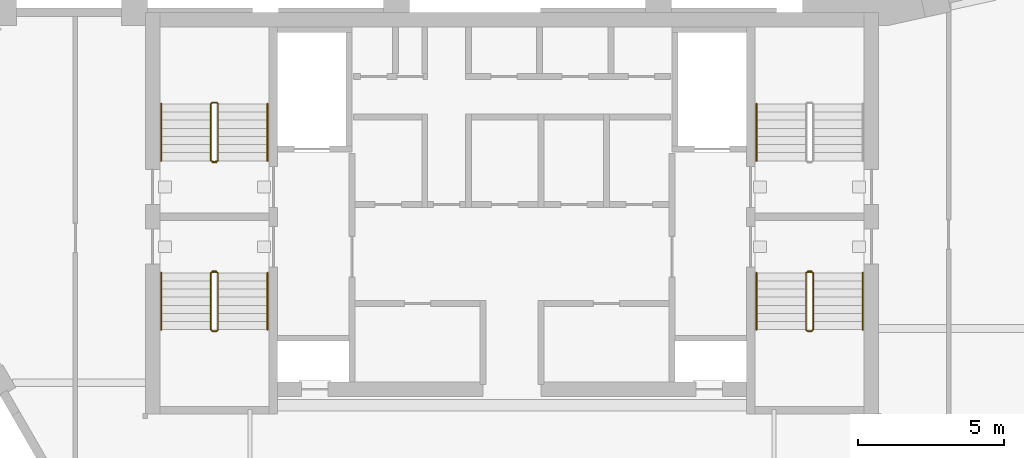
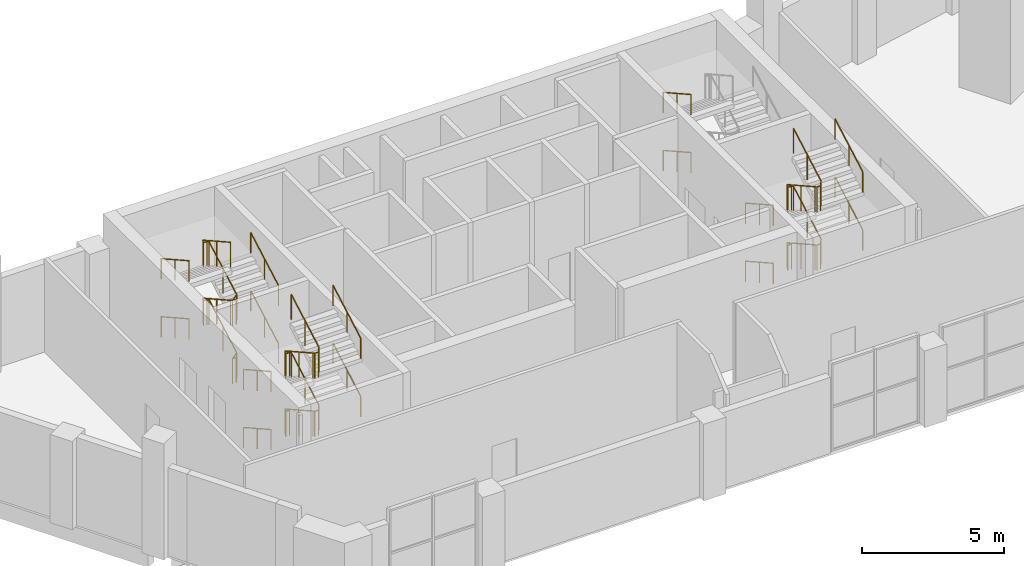
# One storey, part 8 of 9: 17 railings.
"""IFC4 building model written with IfcOpenShell, lengths in metres."""

from ifc_helpers import new_model, si_unit, direction, frame, origin, origin_2d, place, context, subcontext, project, spatial, circle, extrude, material, type_object, element, save


model = new_model("IFC4")

# Units and contexts
model_context = context("Model", 3, precision=1e-05, world=origin(), true_north=direction((0.0, 1.0)))
body_context = subcontext(model_context, "Body", "Model", "MODEL_VIEW")
ifc_project = project(units=[si_unit("LENGTHUNIT", "METRE"), si_unit("AREAUNIT", "SQUARE_METRE"), si_unit("VOLUMEUNIT", "CUBIC_METRE"), si_unit("PLANEANGLEUNIT", "RADIAN"), si_unit("MASSUNIT", "GRAM", prefix="KILO")], contexts=[model_context])

# Site, building, storey
site_placement = place(None, origin())
site = spatial("IfcSite", under=ifc_project, at=site_placement, CompositionType="ELEMENT")
building_placement = place(site_placement, origin())
building = spatial("IfcBuilding", under=site, at=building_placement, Name="Calabash Gate Tower", CompositionType="ELEMENT")
storey_placement = place(building_placement, frame((0.0, 0.0, 330.5)))
storey = spatial("IfcBuildingStorey", under=building, at=storey_placement, Name="L77", CompositionType="ELEMENT", Elevation=330.5)

# Railings
ifc_material_1 = material(Name="Black powder-coated steel balusters", Category="steel")
railing_type_1 = type_object("IfcRailingType", Name="Stair guard RL1100", PredefinedType="GUARDRAIL", material=ifc_material_1)
railing_1_placement = place(storey_placement, frame((-10.14990234375, 13.902587890625, 0.0)))
element("IfcRailing", 1, at=railing_1_placement, inside=storey, type_object=railing_type_1, Name="L77 ST1 stair guard 1", PredefinedType="GUARDRAIL", context=body_context, shape_type="SweptSolid", body=[
    extrude(circle(Radius=0.02392578125, at=origin_2d()), frame((0.0, 0.0, 1.076171875), z_axis=(-1.0, 0.0, 0.0), x_axis=(0.0, -1.0, 0.0)), (0.0, 0.0, 1.0), 0.150146484375),
    extrude(circle(Radius=0.02392578125, at=origin_2d()), frame((-0.150146484375, 0.0, 1.076171875), z_axis=(0.77305925043, 0.19350078918, 0.604100024756), x_axis=(-0.242814311512, 0.970072785993, 0.0)), (0.0, 0.0, 1.0), 0.258544921875),
    extrude(circle(Radius=0.02392578125, at=origin_2d()), frame((0.0498046875, 0.050048828125, 1.232421875), z_axis=(0.0, 0.872479975208, 0.48864986735), x_axis=(-1.0, 0.0, 0.0)), (0.0, 0.0, 1.0), 2.23828125),
    extrude(circle(Radius=0.02392578125, at=origin_2d()), frame((0.0498046875, 2.0029296875, 2.326171875), z_axis=(-0.705375805398, 0.708833529934, 0.0), x_axis=(-0.708833529934, -0.705375805398, 0.0)), (0.0, 0.0, 1.0), 0.070556640625),
    extrude(circle(Radius=0.02392578125, at=origin_2d()), frame((0.0, 2.052978515625, 2.326171875), z_axis=(-1.0, 0.0, 0.0), x_axis=(0.0, -1.0, 0.0)), (0.0, 0.0, 1.0), 0.150146484375),
    extrude(circle(Radius=0.02392578125, at=origin_2d()), frame((-0.150146484375, 2.052978515625, 2.326171875), z_axis=(-0.29177245553, -0.29177245553, 0.91089937336), x_axis=(0.707106781187, -0.707106781187, 0.0)), (0.0, 0.0, 1.0), 0.171630859375),
    extrude(circle(Radius=0.02392578125, at=origin_2d()), frame((-0.2001953125, 2.0029296875, 2.482421875), z_axis=(0.0, -0.872479975208, 0.48864986735), x_axis=(1.0, 0.0, 0.0)), (0.0, 0.0, 1.0), 2.23828125),
    extrude(circle(Radius=0.02392578125, at=origin_2d()), frame((-0.2001953125, 0.050048828125, 3.576171875), z_axis=(0.970142500145, -0.242535625036, 0.0), x_axis=(0.242535625036, 0.970142500145, 0.0)), (0.0, 0.0, 1.0), 0.206298828125),
    extrude(circle(Radius=0.02392578125, at=origin_2d()), frame((0.0, 0.0, 3.576171875), z_axis=(-1.0, 0.0, 0.0), x_axis=(0.0, -1.0, 0.0)), (0.0, 0.0, 1.0), 0.150146484375),
    extrude(circle(Radius=0.02392578125, at=origin_2d()), frame((-0.150146484375, 0.0, 3.576171875), z_axis=(0.77305925043, 0.19350078918, 0.604100024756), x_axis=(-0.242814311512, 0.970072785993, 0.0)), (0.0, 0.0, 1.0), 0.258544921875),
    extrude(circle(Radius=0.02392578125, at=origin_2d()), frame((0.0498046875, 0.050048828125, 3.732421875), z_axis=(0.0, 0.872479975208, 0.48864986735), x_axis=(-1.0, 0.0, 0.0)), (0.0, 0.0, 1.0), 2.23828125),
    extrude(circle(Radius=0.02392578125, at=origin_2d()), frame((0.0498046875, 2.0029296875, 4.826171875), z_axis=(-0.705375805398, 0.708833529934, 0.0), x_axis=(-0.708833529934, -0.705375805398, 0.0)), (0.0, 0.0, 1.0), 0.070556640625),
    extrude(circle(Radius=0.02392578125, at=origin_2d()), frame((0.0, 2.052978515625, 4.826171875), z_axis=(-1.0, 0.0, 0.0), x_axis=(0.0, -1.0, 0.0)), (0.0, 0.0, 1.0), 0.150146484375),
    extrude(circle(Radius=0.02392578125, at=origin_2d()), frame((-0.150146484375, 2.052978515625, 4.826171875), z_axis=(-0.29177245553, -0.29177245553, 0.91089937336), x_axis=(0.707106781187, -0.707106781187, 0.0)), (0.0, 0.0, 1.0), 0.171630859375),
    extrude(circle(Radius=0.02392578125, at=origin_2d()), frame((-0.2001953125, 2.0029296875, 4.982421875), z_axis=(0.0, -0.872479975208, 0.48864986735), x_axis=(1.0, 0.0, 0.0)), (0.0, 0.0, 1.0), 2.23828125),
    extrude(circle(Radius=0.02099609375, at=origin_2d()), origin(), (0.0, 0.0, 1.0), 1.052001953125),
    extrude(circle(Radius=0.02099609375, at=origin_2d()), frame((-0.150146484375, 0.0, 0.0)), (0.0, 0.0, 1.0), 1.052001953125),
    extrude(circle(Radius=0.02099609375, at=origin_2d()), frame((0.0498046875, 0.050048828125, 0.15625)), (0.0, 0.0, 1.0), 1.052001953125),
    extrude(circle(Radius=0.02099609375, at=origin_2d()), frame((0.0498046875, 1.0263671875, 0.703125)), (0.0, 0.0, 1.0), 1.052001953125),
    extrude(circle(Radius=0.02099609375, at=origin_2d()), frame((0.0498046875, 2.0029296875, 1.25)), (0.0, 0.0, 1.0), 1.052001953125),
    extrude(circle(Radius=0.02099609375, at=origin_2d()), frame((0.0, 2.052978515625, 1.25)), (0.0, 0.0, 1.0), 1.052001953125),
    extrude(circle(Radius=0.02099609375, at=origin_2d()), frame((-0.150146484375, 2.052978515625, 1.25)), (0.0, 0.0, 1.0), 1.052001953125),
    extrude(circle(Radius=0.02099609375, at=origin_2d()), frame((-0.2001953125, 2.0029296875, 1.40625)), (0.0, 0.0, 1.0), 1.052001953125),
    extrude(circle(Radius=0.02099609375, at=origin_2d()), frame((-0.2001953125, 1.0263671875, 1.953125)), (0.0, 0.0, 1.0), 1.052001953125),
    extrude(circle(Radius=0.02099609375, at=origin_2d()), frame((-0.2001953125, 0.050048828125, 2.5)), (0.0, 0.0, 1.0), 1.052001953125),
    extrude(circle(Radius=0.02099609375, at=origin_2d()), frame((0.0, 0.0, 2.5)), (0.0, 0.0, 1.0), 1.052001953125),
    extrude(circle(Radius=0.02099609375, at=origin_2d()), frame((-0.150146484375, 0.0, 2.5)), (0.0, 0.0, 1.0), 1.052001953125),
    extrude(circle(Radius=0.02099609375, at=origin_2d()), frame((0.0498046875, 0.050048828125, 2.65625)), (0.0, 0.0, 1.0), 1.052001953125),
    extrude(circle(Radius=0.02099609375, at=origin_2d()), frame((0.0498046875, 1.0263671875, 3.203125)), (0.0, 0.0, 1.0), 1.052001953125),
    extrude(circle(Radius=0.02099609375, at=origin_2d()), frame((0.0498046875, 2.0029296875, 3.75)), (0.0, 0.0, 1.0), 1.052001953125),
    extrude(circle(Radius=0.02099609375, at=origin_2d()), frame((0.0, 2.052978515625, 3.75)), (0.0, 0.0, 1.0), 1.052001953125),
    extrude(circle(Radius=0.02099609375, at=origin_2d()), frame((-0.150146484375, 2.052978515625, 3.75)), (0.0, 0.0, 1.0), 1.052001953125),
    extrude(circle(Radius=0.02099609375, at=origin_2d()), frame((-0.2001953125, 2.0029296875, 3.90625)), (0.0, 0.0, 1.0), 1.052001953125),
    extrude(circle(Radius=0.02099609375, at=origin_2d()), frame((-0.2001953125, 1.0263671875, 4.453125)), (0.0, 0.0, 1.0), 1.052001953125),
    extrude(circle(Radius=0.02099609375, at=origin_2d()), frame((-0.2001953125, 0.050048828125, 5.0)), (0.0, 0.0, 1.0), 1.052001953125),
])
railing_2_placement = place(storey_placement, frame((-10.300048828125, 10.152587890625, 0.0)))
element("IfcRailing", 2, at=railing_2_placement, inside=storey, type_object=railing_type_1, Name="L77 ST2 stair guard 1", PredefinedType="GUARDRAIL", context=body_context, shape_type="SweptSolid", body=[
    extrude(circle(Radius=0.02392578125, at=origin_2d()), frame((0.0, 0.0, 1.076171875), z_axis=(1.0, 0.0, 0.0), x_axis=(0.0, 1.0, 0.0)), (0.0, 0.0, 1.0), 0.150146484375),
    extrude(circle(Radius=0.02392578125, at=origin_2d()), frame((0.150146484375, 0.0, 1.076171875), z_axis=(-0.773438643492, -0.193359660873, 0.603659429067), x_axis=(0.242535625036, -0.970142500145, 0.0)), (0.0, 0.0, 1.0), 0.2587890625),
    extrude(circle(Radius=0.02392578125, at=origin_2d()), frame((-0.050048828125, -0.050048828125, 1.232421875), z_axis=(0.0, -0.872479975208, 0.48864986735), x_axis=(1.0, 0.0, 0.0)), (0.0, 0.0, 1.0), 2.23828125),
    extrude(circle(Radius=0.02392578125, at=origin_2d()), frame((-0.050048828125, -2.0029296875, 2.326171875), z_axis=(0.707106781187, -0.707106781187, 0.0), x_axis=(0.707106781187, 0.707106781187, 0.0)), (0.0, 0.0, 1.0), 0.07080078125),
    extrude(circle(Radius=0.02392578125, at=origin_2d()), frame((0.0, -2.052978515625, 2.326171875), z_axis=(1.0, 0.0, 0.0), x_axis=(0.0, 1.0, 0.0)), (0.0, 0.0, 1.0), 0.150146484375),
    extrude(circle(Radius=0.02392578125, at=origin_2d()), frame((0.150146484375, -2.052978515625, 2.326171875), z_axis=(0.290469530425, 0.291893400672, 0.911276958196), x_axis=(-0.708833529934, 0.705375805398, 0.0)), (0.0, 0.0, 1.0), 0.17138671875),
    extrude(circle(Radius=0.02392578125, at=origin_2d()), frame((0.199951171875, -2.0029296875, 2.482421875), z_axis=(0.0, 0.872479975208, 0.48864986735), x_axis=(-1.0, 0.0, 0.0)), (0.0, 0.0, 1.0), 2.23828125),
    extrude(circle(Radius=0.02392578125, at=origin_2d()), frame((0.199951171875, -0.050048828125, 3.576171875), z_axis=(-0.970072785993, 0.242814311512, 0.0), x_axis=(-0.242814311512, -0.970072785993, 0.0)), (0.0, 0.0, 1.0), 0.2060546875),
    extrude(circle(Radius=0.02392578125, at=origin_2d()), frame((0.0, 0.0, 3.576171875), z_axis=(1.0, 0.0, 0.0), x_axis=(0.0, 1.0, 0.0)), (0.0, 0.0, 1.0), 0.150146484375),
    extrude(circle(Radius=0.02392578125, at=origin_2d()), frame((0.150146484375, 0.0, 3.576171875), z_axis=(-0.773438643492, -0.193359660873, 0.603659429067), x_axis=(0.242535625036, -0.970142500145, 0.0)), (0.0, 0.0, 1.0), 0.2587890625),
    extrude(circle(Radius=0.02392578125, at=origin_2d()), frame((-0.050048828125, -0.050048828125, 3.732421875), z_axis=(0.0, -0.872479975208, 0.48864986735), x_axis=(1.0, 0.0, 0.0)), (0.0, 0.0, 1.0), 2.23828125),
    extrude(circle(Radius=0.02392578125, at=origin_2d()), frame((-0.050048828125, -2.0029296875, 4.826171875), z_axis=(0.707106781187, -0.707106781187, 0.0), x_axis=(0.707106781187, 0.707106781187, 0.0)), (0.0, 0.0, 1.0), 0.07080078125),
    extrude(circle(Radius=0.02392578125, at=origin_2d()), frame((0.0, -2.052978515625, 4.826171875), z_axis=(1.0, 0.0, 0.0), x_axis=(0.0, 1.0, 0.0)), (0.0, 0.0, 1.0), 0.150146484375),
    extrude(circle(Radius=0.02392578125, at=origin_2d()), frame((0.150146484375, -2.052978515625, 4.826171875), z_axis=(0.290469530425, 0.291893400672, 0.911276958196), x_axis=(-0.708833529934, 0.705375805398, 0.0)), (0.0, 0.0, 1.0), 0.17138671875),
    extrude(circle(Radius=0.02392578125, at=origin_2d()), frame((0.199951171875, -2.0029296875, 4.982421875), z_axis=(0.0, 0.872479975208, 0.48864986735), x_axis=(-1.0, 0.0, 0.0)), (0.0, 0.0, 1.0), 2.23828125),
    extrude(circle(Radius=0.02099609375, at=origin_2d()), origin(), (0.0, 0.0, 1.0), 1.052001953125),
    extrude(circle(Radius=0.02099609375, at=origin_2d()), frame((0.150146484375, 0.0, 0.0)), (0.0, 0.0, 1.0), 1.052001953125),
    extrude(circle(Radius=0.02099609375, at=origin_2d()), frame((-0.050048828125, -0.050048828125, 0.15625)), (0.0, 0.0, 1.0), 1.052001953125),
    extrude(circle(Radius=0.02099609375, at=origin_2d()), frame((-0.050048828125, -1.0263671875, 0.703125)), (0.0, 0.0, 1.0), 1.052001953125),
    extrude(circle(Radius=0.02099609375, at=origin_2d()), frame((-0.050048828125, -2.0029296875, 1.25)), (0.0, 0.0, 1.0), 1.052001953125),
    extrude(circle(Radius=0.02099609375, at=origin_2d()), frame((0.0, -2.052978515625, 1.25)), (0.0, 0.0, 1.0), 1.052001953125),
    extrude(circle(Radius=0.02099609375, at=origin_2d()), frame((0.150146484375, -2.052978515625, 1.25)), (0.0, 0.0, 1.0), 1.052001953125),
    extrude(circle(Radius=0.02099609375, at=origin_2d()), frame((0.199951171875, -2.0029296875, 1.40625)), (0.0, 0.0, 1.0), 1.052001953125),
    extrude(circle(Radius=0.02099609375, at=origin_2d()), frame((0.199951171875, -1.0263671875, 1.953125)), (0.0, 0.0, 1.0), 1.052001953125),
    extrude(circle(Radius=0.02099609375, at=origin_2d()), frame((0.199951171875, -0.050048828125, 2.5)), (0.0, 0.0, 1.0), 1.052001953125),
    extrude(circle(Radius=0.02099609375, at=origin_2d()), frame((0.0, 0.0, 2.5)), (0.0, 0.0, 1.0), 1.052001953125),
    extrude(circle(Radius=0.02099609375, at=origin_2d()), frame((0.150146484375, 0.0, 2.5)), (0.0, 0.0, 1.0), 1.052001953125),
    extrude(circle(Radius=0.02099609375, at=origin_2d()), frame((-0.050048828125, -0.050048828125, 2.65625)), (0.0, 0.0, 1.0), 1.052001953125),
    extrude(circle(Radius=0.02099609375, at=origin_2d()), frame((-0.050048828125, -1.0263671875, 3.203125)), (0.0, 0.0, 1.0), 1.052001953125),
    extrude(circle(Radius=0.02099609375, at=origin_2d()), frame((-0.050048828125, -2.0029296875, 3.75)), (0.0, 0.0, 1.0), 1.052001953125),
    extrude(circle(Radius=0.02099609375, at=origin_2d()), frame((0.0, -2.052978515625, 3.75)), (0.0, 0.0, 1.0), 1.052001953125),
    extrude(circle(Radius=0.02099609375, at=origin_2d()), frame((0.150146484375, -2.052978515625, 3.75)), (0.0, 0.0, 1.0), 1.052001953125),
    extrude(circle(Radius=0.02099609375, at=origin_2d()), frame((0.199951171875, -2.0029296875, 3.90625)), (0.0, 0.0, 1.0), 1.052001953125),
    extrude(circle(Radius=0.02099609375, at=origin_2d()), frame((0.199951171875, -1.0263671875, 4.453125)), (0.0, 0.0, 1.0), 1.052001953125),
    extrude(circle(Radius=0.02099609375, at=origin_2d()), frame((0.199951171875, -0.050048828125, 5.0)), (0.0, 0.0, 1.0), 1.052001953125),
])
railing_3_placement = place(storey_placement, frame((10.14990234375, 10.152587890625, 0.0)))
element("IfcRailing", 3, at=railing_3_placement, inside=storey, type_object=railing_type_1, Name="L77 ST4 stair guard 1", PredefinedType="GUARDRAIL", context=body_context, shape_type="SweptSolid", body=[
    extrude(circle(Radius=0.02392578125, at=origin_2d()), frame((0.0, 0.0, 1.076171875), z_axis=(1.0, 0.0, 0.0), x_axis=(0.0, 1.0, 0.0)), (0.0, 0.0, 1.0), 0.150146484375),
    extrude(circle(Radius=0.02392578125, at=origin_2d()), frame((0.150146484375, 0.0, 1.076171875), z_axis=(-0.77305925043, -0.19350078918, 0.604100024756), x_axis=(0.242814311512, -0.970072785993, 0.0)), (0.0, 0.0, 1.0), 0.258544921875),
    extrude(circle(Radius=0.02392578125, at=origin_2d()), frame((-0.0498046875, -0.050048828125, 1.232421875), z_axis=(0.0, -0.872479975208, 0.48864986735), x_axis=(1.0, 0.0, 0.0)), (0.0, 0.0, 1.0), 2.23828125),
    extrude(circle(Radius=0.02392578125, at=origin_2d()), frame((-0.0498046875, -2.0029296875, 2.326171875), z_axis=(0.705375805398, -0.708833529934, 0.0), x_axis=(0.708833529934, 0.705375805398, 0.0)), (0.0, 0.0, 1.0), 0.070556640625),
    extrude(circle(Radius=0.02392578125, at=origin_2d()), frame((0.0, -2.052978515625, 2.326171875), z_axis=(1.0, 0.0, 0.0), x_axis=(0.0, 1.0, 0.0)), (0.0, 0.0, 1.0), 0.150146484375),
    extrude(circle(Radius=0.02392578125, at=origin_2d()), frame((0.150146484375, -2.052978515625, 2.326171875), z_axis=(0.29177245553, 0.29177245553, 0.91089937336), x_axis=(-0.707106781187, 0.707106781187, 0.0)), (0.0, 0.0, 1.0), 0.171630859375),
    extrude(circle(Radius=0.02392578125, at=origin_2d()), frame((0.2001953125, -2.0029296875, 2.482421875), z_axis=(0.0, 0.872479975208, 0.48864986735), x_axis=(-1.0, 0.0, 0.0)), (0.0, 0.0, 1.0), 2.23828125),
    extrude(circle(Radius=0.02392578125, at=origin_2d()), frame((0.2001953125, -0.050048828125, 3.576171875), z_axis=(-0.970142500145, 0.242535625036, 0.0), x_axis=(-0.242535625036, -0.970142500145, 0.0)), (0.0, 0.0, 1.0), 0.206298828125),
    extrude(circle(Radius=0.02392578125, at=origin_2d()), frame((0.0, 0.0, 3.576171875), z_axis=(1.0, 0.0, 0.0), x_axis=(0.0, 1.0, 0.0)), (0.0, 0.0, 1.0), 0.150146484375),
    extrude(circle(Radius=0.02392578125, at=origin_2d()), frame((0.150146484375, 0.0, 3.576171875), z_axis=(-0.77305925043, -0.19350078918, 0.604100024756), x_axis=(0.242814311512, -0.970072785993, 0.0)), (0.0, 0.0, 1.0), 0.258544921875),
    extrude(circle(Radius=0.02392578125, at=origin_2d()), frame((-0.0498046875, -0.050048828125, 3.732421875), z_axis=(0.0, -0.872479975208, 0.48864986735), x_axis=(1.0, 0.0, 0.0)), (0.0, 0.0, 1.0), 2.23828125),
    extrude(circle(Radius=0.02392578125, at=origin_2d()), frame((-0.0498046875, -2.0029296875, 4.826171875), z_axis=(0.705375805398, -0.708833529934, 0.0), x_axis=(0.708833529934, 0.705375805398, 0.0)), (0.0, 0.0, 1.0), 0.070556640625),
    extrude(circle(Radius=0.02392578125, at=origin_2d()), frame((0.0, -2.052978515625, 4.826171875), z_axis=(1.0, 0.0, 0.0), x_axis=(0.0, 1.0, 0.0)), (0.0, 0.0, 1.0), 0.150146484375),
    extrude(circle(Radius=0.02392578125, at=origin_2d()), frame((0.150146484375, -2.052978515625, 4.826171875), z_axis=(0.29177245553, 0.29177245553, 0.91089937336), x_axis=(-0.707106781187, 0.707106781187, 0.0)), (0.0, 0.0, 1.0), 0.171630859375),
    extrude(circle(Radius=0.02392578125, at=origin_2d()), frame((0.2001953125, -2.0029296875, 4.982421875), z_axis=(0.0, 0.872479975208, 0.48864986735), x_axis=(-1.0, 0.0, 0.0)), (0.0, 0.0, 1.0), 2.23828125),
    extrude(circle(Radius=0.02099609375, at=origin_2d()), origin(), (0.0, 0.0, 1.0), 1.052001953125),
    extrude(circle(Radius=0.02099609375, at=origin_2d()), frame((0.150146484375, 0.0, 0.0)), (0.0, 0.0, 1.0), 1.052001953125),
    extrude(circle(Radius=0.02099609375, at=origin_2d()), frame((-0.0498046875, -0.050048828125, 0.15625)), (0.0, 0.0, 1.0), 1.052001953125),
    extrude(circle(Radius=0.02099609375, at=origin_2d()), frame((-0.0498046875, -1.0263671875, 0.703125)), (0.0, 0.0, 1.0), 1.052001953125),
    extrude(circle(Radius=0.02099609375, at=origin_2d()), frame((-0.0498046875, -2.0029296875, 1.25)), (0.0, 0.0, 1.0), 1.052001953125),
    extrude(circle(Radius=0.02099609375, at=origin_2d()), frame((0.0, -2.052978515625, 1.25)), (0.0, 0.0, 1.0), 1.052001953125),
    extrude(circle(Radius=0.02099609375, at=origin_2d()), frame((0.150146484375, -2.052978515625, 1.25)), (0.0, 0.0, 1.0), 1.052001953125),
    extrude(circle(Radius=0.02099609375, at=origin_2d()), frame((0.2001953125, -2.0029296875, 1.40625)), (0.0, 0.0, 1.0), 1.052001953125),
    extrude(circle(Radius=0.02099609375, at=origin_2d()), frame((0.2001953125, -1.0263671875, 1.953125)), (0.0, 0.0, 1.0), 1.052001953125),
    extrude(circle(Radius=0.02099609375, at=origin_2d()), frame((0.2001953125, -0.050048828125, 2.5)), (0.0, 0.0, 1.0), 1.052001953125),
    extrude(circle(Radius=0.02099609375, at=origin_2d()), frame((0.0, 0.0, 2.5)), (0.0, 0.0, 1.0), 1.052001953125),
    extrude(circle(Radius=0.02099609375, at=origin_2d()), frame((0.150146484375, 0.0, 2.5)), (0.0, 0.0, 1.0), 1.052001953125),
    extrude(circle(Radius=0.02099609375, at=origin_2d()), frame((-0.0498046875, -0.050048828125, 2.65625)), (0.0, 0.0, 1.0), 1.052001953125),
    extrude(circle(Radius=0.02099609375, at=origin_2d()), frame((-0.0498046875, -1.0263671875, 3.203125)), (0.0, 0.0, 1.0), 1.052001953125),
    extrude(circle(Radius=0.02099609375, at=origin_2d()), frame((-0.0498046875, -2.0029296875, 3.75)), (0.0, 0.0, 1.0), 1.052001953125),
    extrude(circle(Radius=0.02099609375, at=origin_2d()), frame((0.0, -2.052978515625, 3.75)), (0.0, 0.0, 1.0), 1.052001953125),
    extrude(circle(Radius=0.02099609375, at=origin_2d()), frame((0.150146484375, -2.052978515625, 3.75)), (0.0, 0.0, 1.0), 1.052001953125),
    extrude(circle(Radius=0.02099609375, at=origin_2d()), frame((0.2001953125, -2.0029296875, 3.90625)), (0.0, 0.0, 1.0), 1.052001953125),
    extrude(circle(Radius=0.02099609375, at=origin_2d()), frame((0.2001953125, -1.0263671875, 4.453125)), (0.0, 0.0, 1.0), 1.052001953125),
    extrude(circle(Radius=0.02099609375, at=origin_2d()), frame((0.2001953125, -0.050048828125, 5.0)), (0.0, 0.0, 1.0), 1.052001953125),
])
ifc_material_2 = material(Name="Black powder-coated steel tube 48 mm", Category="steel")
railing_type_2 = type_object("IfcRailingType", Name="Stair handrail RL900", PredefinedType="HANDRAIL", material=ifc_material_2)
railing_4_placement = place(storey_placement, frame((-8.39990234375, 13.95263671875, 0.15625)))
element("IfcRailing", 4, at=railing_4_placement, inside=storey, type_object=railing_type_2, Name="L77 ST1 stair handrail 1", PredefinedType="HANDRAIL", context=body_context, shape_type="SweptSolid", body=[
    extrude(circle(Radius=0.02392578125, at=origin_2d()), frame((0.0, 0.0, 0.8759765625), z_axis=(0.0, 0.872479975208, 0.48864986735), x_axis=(-1.0, 0.0, 0.0)), (0.0, 0.0, 1.0), 2.23828125),
    extrude(circle(Radius=0.02099609375, at=origin_2d()), origin(), (0.0, 0.0, 1.0), 0.851806640625),
    extrude(circle(Radius=0.02099609375, at=origin_2d()), frame((0.0, 0.9765625, 0.546875)), (0.0, 0.0, 1.0), 0.851806640625),
    extrude(circle(Radius=0.02099609375, at=origin_2d()), frame((0.0, 1.952880859375, 1.09375)), (0.0, 0.0, 1.0), 0.851806640625),
])
railing_5_placement = place(storey_placement, frame((-12.050048828125, 15.905517578125, 1.40625)))
element("IfcRailing", 5, at=railing_5_placement, inside=storey, type_object=railing_type_2, Name="L77 ST1 stair handrail 2", PredefinedType="HANDRAIL", context=body_context, shape_type="SweptSolid", body=[
    extrude(circle(Radius=0.02392578125, at=origin_2d()), frame((0.0, 0.0, 0.8759765625), z_axis=(0.0, -0.872479975208, 0.48864986735), x_axis=(1.0, 0.0, 0.0)), (0.0, 0.0, 1.0), 2.23828125),
    extrude(circle(Radius=0.02099609375, at=origin_2d()), origin(), (0.0, 0.0, 1.0), 0.851806640625),
    extrude(circle(Radius=0.02099609375, at=origin_2d()), frame((0.0, -0.9765625, 0.546875)), (0.0, 0.0, 1.0), 0.851806640625),
    extrude(circle(Radius=0.02099609375, at=origin_2d()), frame((0.0, -1.952880859375, 1.09375)), (0.0, 0.0, 1.0), 0.851806640625),
])
railing_6_placement = place(storey_placement, frame((-8.39990234375, 13.95263671875, 2.65625)))
element("IfcRailing", 6, at=railing_6_placement, inside=storey, type_object=railing_type_2, Name="L77 ST1 stair handrail 3", PredefinedType="HANDRAIL", context=body_context, shape_type="SweptSolid", body=[
    extrude(circle(Radius=0.02392578125, at=origin_2d()), frame((0.0, 0.0, 0.8759765625), z_axis=(0.0, 0.872479975208, 0.48864986735), x_axis=(-1.0, 0.0, 0.0)), (0.0, 0.0, 1.0), 2.23828125),
    extrude(circle(Radius=0.02099609375, at=origin_2d()), origin(), (0.0, 0.0, 1.0), 0.851806640625),
    extrude(circle(Radius=0.02099609375, at=origin_2d()), frame((0.0, 0.9765625, 0.546875)), (0.0, 0.0, 1.0), 0.851806640625),
    extrude(circle(Radius=0.02099609375, at=origin_2d()), frame((0.0, 1.952880859375, 1.09375)), (0.0, 0.0, 1.0), 0.851806640625),
])
for number, where, name in (
    (7, (-12.050048828125, 15.905517578125, 3.90625), "L77 ST1 stair handrail 4"),
    (8, (-12.050048828125, 10.1025390625, 0.15625), "L77 ST2 stair handrail 1"),
):
    element("IfcRailing", number, at=place(storey_placement, frame(where)), inside=storey, type_object=railing_type_2, Name=name, PredefinedType="HANDRAIL", context=body_context, shape_type="SweptSolid", body=[
        extrude(circle(Radius=0.02392578125, at=origin_2d()), frame((0.0, 0.0, 0.8759765625), z_axis=(0.0, -0.872479975208, 0.48864986735), x_axis=(1.0, 0.0, 0.0)), (0.0, 0.0, 1.0), 2.23828125),
        extrude(circle(Radius=0.02099609375, at=origin_2d()), origin(), (0.0, 0.0, 1.0), 0.851806640625),
        extrude(circle(Radius=0.02099609375, at=origin_2d()), frame((0.0, -0.9765625, 0.546875)), (0.0, 0.0, 1.0), 0.851806640625),
        extrude(circle(Radius=0.02099609375, at=origin_2d()), frame((0.0, -1.952880859375, 1.09375)), (0.0, 0.0, 1.0), 0.851806640625),
    ])
railing_7_placement = place(storey_placement, frame((-8.39990234375, 8.149658203125, 1.40625)))
element("IfcRailing", 9, at=railing_7_placement, inside=storey, type_object=railing_type_2, Name="L77 ST2 stair handrail 2", PredefinedType="HANDRAIL", context=body_context, shape_type="SweptSolid", body=[
    extrude(circle(Radius=0.02392578125, at=origin_2d()), frame((0.0, 0.0, 0.8759765625), z_axis=(0.0, 0.872479975208, 0.48864986735), x_axis=(-1.0, 0.0, 0.0)), (0.0, 0.0, 1.0), 2.23828125),
    extrude(circle(Radius=0.02099609375, at=origin_2d()), origin(), (0.0, 0.0, 1.0), 0.851806640625),
    extrude(circle(Radius=0.02099609375, at=origin_2d()), frame((0.0, 0.9765625, 0.546875)), (0.0, 0.0, 1.0), 0.851806640625),
    extrude(circle(Radius=0.02099609375, at=origin_2d()), frame((0.0, 1.952880859375, 1.09375)), (0.0, 0.0, 1.0), 0.851806640625),
])
railing_8_placement = place(storey_placement, frame((-12.050048828125, 10.1025390625, 2.65625)))
element("IfcRailing", 10, at=railing_8_placement, inside=storey, type_object=railing_type_2, Name="L77 ST2 stair handrail 3", PredefinedType="HANDRAIL", context=body_context, shape_type="SweptSolid", body=[
    extrude(circle(Radius=0.02392578125, at=origin_2d()), frame((0.0, 0.0, 0.8759765625), z_axis=(0.0, -0.872479975208, 0.48864986735), x_axis=(1.0, 0.0, 0.0)), (0.0, 0.0, 1.0), 2.23828125),
    extrude(circle(Radius=0.02099609375, at=origin_2d()), origin(), (0.0, 0.0, 1.0), 0.851806640625),
    extrude(circle(Radius=0.02099609375, at=origin_2d()), frame((0.0, -0.9765625, 0.546875)), (0.0, 0.0, 1.0), 0.851806640625),
    extrude(circle(Radius=0.02099609375, at=origin_2d()), frame((0.0, -1.952880859375, 1.09375)), (0.0, 0.0, 1.0), 0.851806640625),
])
railing_9_placement = place(storey_placement, frame((-8.39990234375, 8.149658203125, 3.90625)))
element("IfcRailing", 11, at=railing_9_placement, inside=storey, type_object=railing_type_2, Name="L77 ST2 stair handrail 4", PredefinedType="HANDRAIL", context=body_context, shape_type="SweptSolid", body=[
    extrude(circle(Radius=0.02392578125, at=origin_2d()), frame((0.0, 0.0, 0.8759765625), z_axis=(0.0, 0.872479975208, 0.48864986735), x_axis=(-1.0, 0.0, 0.0)), (0.0, 0.0, 1.0), 2.23828125),
    extrude(circle(Radius=0.02099609375, at=origin_2d()), origin(), (0.0, 0.0, 1.0), 0.851806640625),
    extrude(circle(Radius=0.02099609375, at=origin_2d()), frame((0.0, 0.9765625, 0.546875)), (0.0, 0.0, 1.0), 0.851806640625),
    extrude(circle(Radius=0.02099609375, at=origin_2d()), frame((0.0, 1.952880859375, 1.09375)), (0.0, 0.0, 1.0), 0.851806640625),
])
for number, where, name in (
    (12, (8.39990234375, 15.905517578125, 1.40625), "L77 ST3 stair handrail 2"),
    (13, (8.39990234375, 15.905517578125, 3.90625), "L77 ST3 stair handrail 4"),
    (14, (8.39990234375, 10.1025390625, 0.15625), "L77 ST4 stair handrail 1"),
):
    element("IfcRailing", number, at=place(storey_placement, frame(where)), inside=storey, type_object=railing_type_2, Name=name, PredefinedType="HANDRAIL", context=body_context, shape_type="SweptSolid", body=[
        extrude(circle(Radius=0.02392578125, at=origin_2d()), frame((0.0, 0.0, 0.8759765625), z_axis=(0.0, -0.872479975208, 0.48864986735), x_axis=(1.0, 0.0, 0.0)), (0.0, 0.0, 1.0), 2.23828125),
        extrude(circle(Radius=0.02099609375, at=origin_2d()), origin(), (0.0, 0.0, 1.0), 0.851806640625),
        extrude(circle(Radius=0.02099609375, at=origin_2d()), frame((0.0, -0.9765625, 0.546875)), (0.0, 0.0, 1.0), 0.851806640625),
        extrude(circle(Radius=0.02099609375, at=origin_2d()), frame((0.0, -1.952880859375, 1.09375)), (0.0, 0.0, 1.0), 0.851806640625),
    ])
railing_10_placement = place(storey_placement, frame((12.050048828125, 8.149658203125, 1.40625)))
element("IfcRailing", 15, at=railing_10_placement, inside=storey, type_object=railing_type_2, Name="L77 ST4 stair handrail 2", PredefinedType="HANDRAIL", context=body_context, shape_type="SweptSolid", body=[
    extrude(circle(Radius=0.02392578125, at=origin_2d()), frame((0.0, 0.0, 0.8759765625), z_axis=(0.0, 0.872479975208, 0.48864986735), x_axis=(-1.0, 0.0, 0.0)), (0.0, 0.0, 1.0), 2.23828125),
    extrude(circle(Radius=0.02099609375, at=origin_2d()), origin(), (0.0, 0.0, 1.0), 0.851806640625),
    extrude(circle(Radius=0.02099609375, at=origin_2d()), frame((0.0, 0.9765625, 0.546875)), (0.0, 0.0, 1.0), 0.851806640625),
    extrude(circle(Radius=0.02099609375, at=origin_2d()), frame((0.0, 1.952880859375, 1.09375)), (0.0, 0.0, 1.0), 0.851806640625),
])
railing_11_placement = place(storey_placement, frame((8.39990234375, 10.1025390625, 2.65625)))
element("IfcRailing", 16, at=railing_11_placement, inside=storey, type_object=railing_type_2, Name="L77 ST4 stair handrail 3", PredefinedType="HANDRAIL", context=body_context, shape_type="SweptSolid", body=[
    extrude(circle(Radius=0.02392578125, at=origin_2d()), frame((0.0, 0.0, 0.8759765625), z_axis=(0.0, -0.872479975208, 0.48864986735), x_axis=(1.0, 0.0, 0.0)), (0.0, 0.0, 1.0), 2.23828125),
    extrude(circle(Radius=0.02099609375, at=origin_2d()), origin(), (0.0, 0.0, 1.0), 0.851806640625),
    extrude(circle(Radius=0.02099609375, at=origin_2d()), frame((0.0, -0.9765625, 0.546875)), (0.0, 0.0, 1.0), 0.851806640625),
    extrude(circle(Radius=0.02099609375, at=origin_2d()), frame((0.0, -1.952880859375, 1.09375)), (0.0, 0.0, 1.0), 0.851806640625),
])
railing_12_placement = place(storey_placement, frame((12.050048828125, 8.149658203125, 3.90625)))
element("IfcRailing", 17, at=railing_12_placement, inside=storey, type_object=railing_type_2, Name="L77 ST4 stair handrail 4", PredefinedType="HANDRAIL", context=body_context, shape_type="SweptSolid", body=[
    extrude(circle(Radius=0.02392578125, at=origin_2d()), frame((0.0, 0.0, 0.8759765625), z_axis=(0.0, 0.872479975208, 0.48864986735), x_axis=(-1.0, 0.0, 0.0)), (0.0, 0.0, 1.0), 2.23828125),
    extrude(circle(Radius=0.02099609375, at=origin_2d()), origin(), (0.0, 0.0, 1.0), 0.851806640625),
    extrude(circle(Radius=0.02099609375, at=origin_2d()), frame((0.0, 0.9765625, 0.546875)), (0.0, 0.0, 1.0), 0.851806640625),
    extrude(circle(Radius=0.02099609375, at=origin_2d()), frame((0.0, 1.952880859375, 1.09375)), (0.0, 0.0, 1.0), 0.851806640625),
])

save(model, "model.ifc")
